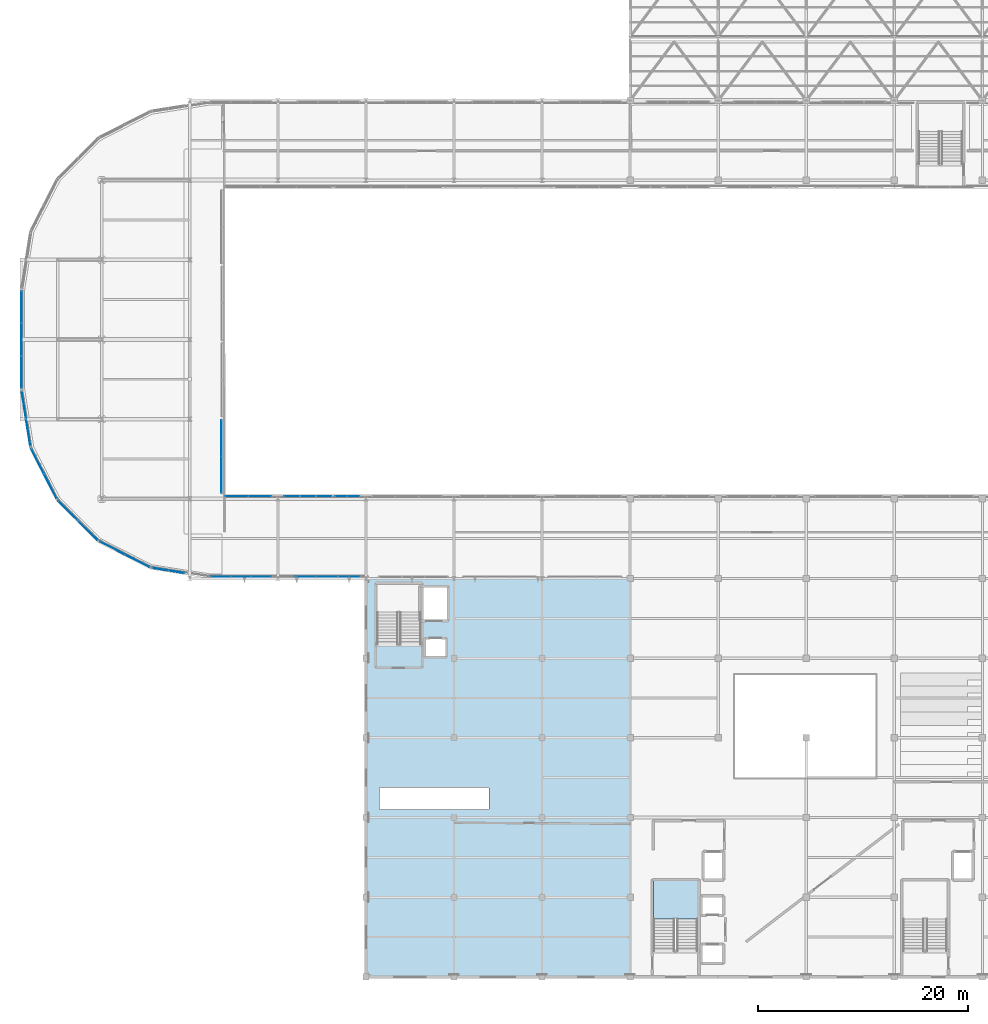
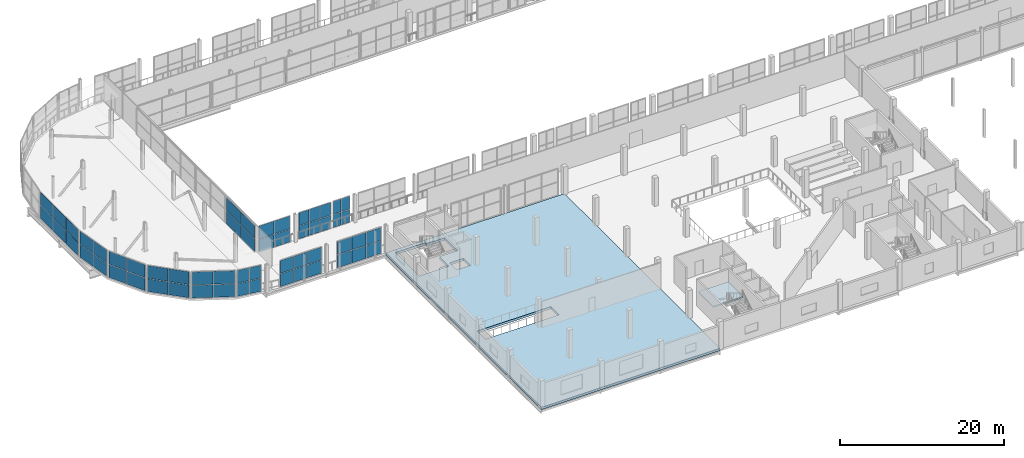
# One storey, part 164 of 217: 56 plates, 2 slabs, 13 elements without a shape of their own.
"""IFC4 building model written with IfcOpenShell, lengths in metres."""

from ifc_helpers import new_model, si_unit, direction, frame, origin, origin_2d, place, context, subcontext, project, spatial, polyline, rectangle, outline, extrude, material, layer, layer_set, type_object, element, aggregate, save


model = new_model("IFC4")

# Units and contexts
model_context = context("Model", 3, precision=1e-05, world=origin(), true_north=direction((0.0, 1.0)))
body_context = subcontext(model_context, "Body", "Model", "MODEL_VIEW")
ifc_project = project(units=[si_unit("LENGTHUNIT", "METRE"), si_unit("AREAUNIT", "SQUARE_METRE"), si_unit("VOLUMEUNIT", "CUBIC_METRE"), si_unit("PLANEANGLEUNIT", "RADIAN"), si_unit("MASSUNIT", "GRAM", prefix="KILO")], contexts=[model_context])

# Site, building, storey
site_placement = place(None, origin())
site = spatial("IfcSite", under=ifc_project, at=site_placement, CompositionType="ELEMENT")
building_placement = place(site_placement, origin())
building = spatial("IfcBuilding", under=site, at=building_placement, Name="Zuvorla Pavilion Media Centre", CompositionType="ELEMENT")
storey_placement = place(building_placement, frame((0.0, 0.0, 9.60009765625)))
storey = spatial("IfcBuildingStorey", under=building, at=storey_placement, Name="L02", CompositionType="ELEMENT", Elevation=9.60009765625)

# Curtain wall, plates
ifc_material_1 = material(Name="Unitised anodised aluminium and solar glass curtain wall", Category="aluminium")
curtain_wall_type_1 = type_object("IfcCurtainWallType", Name="CW-SYS-04", PredefinedType="USERDEFINED", material=ifc_material_1)
curtain_wall_1_placement = place(storey_placement, origin())
curtain_wall_1 = element("IfcCurtainWall", 1, at=curtain_wall_1_placement, inside=storey, type_object=curtain_wall_type_1, Name="L02 curtain wall CW04 33", ObjectType="CURTAIN WALL", PredefinedType="USERDEFINED")
ifc_material_2 = material(Name="Solar control double glazing", Category="glass")
ifc_layer_1 = layer(ifc_material_2, 0.028076171875)
ifc_layer_set_1 = layer_set([ifc_layer_1], Name="Solar control double glazing")
plate_type_1 = type_object("IfcPlateType", Name="CW-PNL-28", PredefinedType="CURTAIN_PANEL", material=ifc_layer_set_1)
plate_1_placement = place(storey_placement, frame((8.970947265625, 60.55224609375, 0.02978515625), z_axis=(0.0, 0.0, 1.0), x_axis=(0.156428534885, -0.987689279821, 0.0)))
plate_1 = element("IfcPlate", 2, at=plate_1_placement, type_object=plate_type_1, Name="CW04 panel 1.1", PredefinedType="CURTAIN_PANEL", context=body_context, shape_type="SweptSolid", body=[
    extrude(rectangle(XDim=2.595947265625, YDim=0.028076171875, at=origin_2d()), origin(), (0.0, 0.0, 1.0), 1.9150390625),
])
plate_2_placement = place(storey_placement, frame((8.970947265625, 60.55224609375, 2.0048828125), z_axis=(0.0, 0.0, 1.0), x_axis=(0.156428534885, -0.987689279821, 0.0)))
plate_2 = element("IfcPlate", 3, at=plate_2_placement, type_object=plate_type_1, Name="CW04 panel 1.2", PredefinedType="CURTAIN_PANEL", context=body_context, shape_type="SweptSolid", body=[
    extrude(rectangle(XDim=2.595947265625, YDim=0.028076171875, at=origin_2d()), origin(), (0.0, 0.0, 1.0), 1.9150390625),
])
plate_3_placement = place(storey_placement, frame((9.386474609375, 57.92919921875, 0.02978515625), z_axis=(0.0, 0.0, 1.0), x_axis=(0.156428534885, -0.987689279821, 0.0)))
plate_3 = element("IfcPlate", 4, at=plate_3_placement, type_object=plate_type_1, Name="CW04 panel 2.1", PredefinedType="CURTAIN_PANEL", context=body_context, shape_type="SweptSolid", body=[
    extrude(rectangle(XDim=2.595947265625, YDim=0.028076171875, at=origin_2d()), origin(), (0.0, 0.0, 1.0), 1.9150390625),
])
plate_4_placement = place(storey_placement, frame((9.386474609375, 57.92919921875, 2.0048828125), z_axis=(0.0, 0.0, 1.0), x_axis=(0.156428534885, -0.987689279821, 0.0)))
plate_4 = element("IfcPlate", 5, at=plate_4_placement, type_object=plate_type_1, Name="CW04 panel 2.2", PredefinedType="CURTAIN_PANEL", context=body_context, shape_type="SweptSolid", body=[
    extrude(rectangle(XDim=2.595947265625, YDim=0.028076171875, at=origin_2d()), origin(), (0.0, 0.0, 1.0), 1.9150390625),
])
aggregate(curtain_wall_1, [plate_1, plate_2, plate_3, plate_4])

curtain_wall_2_placement = place(storey_placement, origin())
curtain_wall_2 = element("IfcCurtainWall", 6, at=curtain_wall_2_placement, inside=storey, type_object=curtain_wall_type_1, Name="L02 curtain wall CW04 36", ObjectType="CURTAIN WALL", PredefinedType="USERDEFINED")
plate_5_placement = place(storey_placement, frame((17.4091796875, 46.886962890625, 0.02978515625), z_axis=(0.0, 0.0, 1.0), x_axis=(0.891008892216, -0.453985852193, 0.0)))
plate_5 = element("IfcPlate", 7, at=plate_5_placement, type_object=plate_type_1, Name="CW04 panel 1.1", PredefinedType="CURTAIN_PANEL", context=body_context, shape_type="SweptSolid", body=[
    extrude(rectangle(XDim=2.595703125, YDim=0.028076171875, at=origin_2d()), origin(), (0.0, 0.0, 1.0), 1.9150390625),
])
plate_6_placement = place(storey_placement, frame((17.4091796875, 46.886962890625, 2.0048828125), z_axis=(0.0, 0.0, 1.0), x_axis=(0.891008892216, -0.453985852193, 0.0)))
plate_6 = element("IfcPlate", 8, at=plate_6_placement, type_object=plate_type_1, Name="CW04 panel 1.2", PredefinedType="CURTAIN_PANEL", context=body_context, shape_type="SweptSolid", body=[
    extrude(rectangle(XDim=2.595703125, YDim=0.028076171875, at=origin_2d()), origin(), (0.0, 0.0, 1.0), 1.9150390625),
])
plate_7_placement = place(storey_placement, frame((19.775634765625, 45.68115234375, 0.02978515625), z_axis=(0.0, 0.0, 1.0), x_axis=(0.891008892216, -0.453985852193, 0.0)))
plate_7 = element("IfcPlate", 9, at=plate_7_placement, type_object=plate_type_1, Name="CW04 panel 2.1", PredefinedType="CURTAIN_PANEL", context=body_context, shape_type="SweptSolid", body=[
    extrude(rectangle(XDim=2.595703125, YDim=0.028076171875, at=origin_2d()), origin(), (0.0, 0.0, 1.0), 1.9150390625),
])
plate_8_placement = place(storey_placement, frame((19.775634765625, 45.68115234375, 2.0048828125), z_axis=(0.0, 0.0, 1.0), x_axis=(0.891008892216, -0.453985852193, 0.0)))
plate_8 = element("IfcPlate", 10, at=plate_8_placement, type_object=plate_type_1, Name="CW04 panel 2.2", PredefinedType="CURTAIN_PANEL", context=body_context, shape_type="SweptSolid", body=[
    extrude(rectangle(XDim=2.595703125, YDim=0.028076171875, at=origin_2d()), origin(), (0.0, 0.0, 1.0), 1.9150390625),
])
aggregate(curtain_wall_2, [plate_5, plate_6, plate_7, plate_8])

curtain_wall_type_2 = type_object("IfcCurtainWallType", Name="CW-SYS-07", PredefinedType="USERDEFINED", material=ifc_material_1)
curtain_wall_3_placement = place(storey_placement, origin())
curtain_wall_3 = element("IfcCurtainWall", 11, at=curtain_wall_3_placement, inside=storey, type_object=curtain_wall_type_2, Name="L02 curtain wall CW07 38", ObjectType="CURTAIN WALL", PredefinedType="USERDEFINED")
plate_9_placement = place(storey_placement, frame((27.7333984375, 44.159912109375, 0.02978515625), z_axis=(0.0, 0.0, 1.0), x_axis=(1.0, 0.0, 0.0)))
plate_9 = element("IfcPlate", 12, at=plate_9_placement, type_object=plate_type_1, Name="CW07 panel 1.1", PredefinedType="CURTAIN_PANEL", context=body_context, shape_type="SweptSolid", body=[
    extrude(rectangle(XDim=1.88671875, YDim=0.028076171875, at=origin_2d()), origin(), (0.0, 0.0, 1.0), 1.9150390625),
])
plate_10_placement = place(storey_placement, frame((27.7333984375, 44.159912109375, 2.0048828125), z_axis=(0.0, 0.0, 1.0), x_axis=(1.0, 0.0, 0.0)))
plate_10 = element("IfcPlate", 13, at=plate_10_placement, type_object=plate_type_1, Name="CW07 panel 1.2", PredefinedType="CURTAIN_PANEL", context=body_context, shape_type="SweptSolid", body=[
    extrude(rectangle(XDim=1.88671875, YDim=0.028076171875, at=origin_2d()), origin(), (0.0, 0.0, 1.0), 1.9150390625),
])
plate_11_placement = place(storey_placement, frame((29.679931640625, 44.159912109375, 0.02978515625), z_axis=(0.0, 0.0, 1.0), x_axis=(1.0, 0.0, 0.0)))
plate_11 = element("IfcPlate", 14, at=plate_11_placement, type_object=plate_type_1, Name="CW07 panel 2.1", PredefinedType="CURTAIN_PANEL", context=body_context, shape_type="SweptSolid", body=[
    extrude(rectangle(XDim=1.88671875, YDim=0.028076171875, at=origin_2d()), origin(), (0.0, 0.0, 1.0), 1.9150390625),
])
plate_12_placement = place(storey_placement, frame((29.679931640625, 44.159912109375, 2.0048828125), z_axis=(0.0, 0.0, 1.0), x_axis=(1.0, 0.0, 0.0)))
plate_12 = element("IfcPlate", 15, at=plate_12_placement, type_object=plate_type_1, Name="CW07 panel 2.2", PredefinedType="CURTAIN_PANEL", context=body_context, shape_type="SweptSolid", body=[
    extrude(rectangle(XDim=1.88671875, YDim=0.028076171875, at=origin_2d()), origin(), (0.0, 0.0, 1.0), 1.9150390625),
])
plate_13_placement = place(storey_placement, frame((31.62646484375, 44.159912109375, 0.02978515625), z_axis=(0.0, 0.0, 1.0), x_axis=(1.0, 0.0, 0.0)))
plate_13 = element("IfcPlate", 16, at=plate_13_placement, type_object=plate_type_1, Name="CW07 panel 3.1", PredefinedType="CURTAIN_PANEL", context=body_context, shape_type="SweptSolid", body=[
    extrude(rectangle(XDim=1.88671875, YDim=0.028076171875, at=origin_2d()), origin(), (0.0, 0.0, 1.0), 1.9150390625),
])
plate_14_placement = place(storey_placement, frame((31.62646484375, 44.159912109375, 2.0048828125), z_axis=(0.0, 0.0, 1.0), x_axis=(1.0, 0.0, 0.0)))
plate_14 = element("IfcPlate", 17, at=plate_14_placement, type_object=plate_type_1, Name="CW07 panel 3.2", PredefinedType="CURTAIN_PANEL", context=body_context, shape_type="SweptSolid", body=[
    extrude(rectangle(XDim=1.88671875, YDim=0.028076171875, at=origin_2d()), origin(), (0.0, 0.0, 1.0), 1.9150390625),
])
aggregate(curtain_wall_3, [plate_9, plate_10, plate_11, plate_12, plate_13, plate_14])

curtain_wall_type_3 = type_object("IfcCurtainWallType", Name="CW-SYS-28", PredefinedType="USERDEFINED", material=ifc_material_1)
curtain_wall_4_placement = place(storey_placement, origin())
curtain_wall_4 = element("IfcCurtainWall", 18, at=curtain_wall_4_placement, inside=storey, type_object=curtain_wall_type_3, Name="L02 curtain wall CW28 49", ObjectType="CURTAIN WALL", PredefinedType="USERDEFINED")
plate_15_placement = place(storey_placement, frame((29.27001953125, 51.840087890625, 0.02978515625), z_axis=(0.0, 0.0, 1.0), x_axis=(1.0, 0.0, 0.0)))
plate_15 = element("IfcPlate", 19, at=plate_15_placement, type_object=plate_type_1, Name="CW28 panel 1.1", PredefinedType="CURTAIN_PANEL", context=body_context, shape_type="SweptSolid", body=[
    extrude(rectangle(XDim=2.159912109375, YDim=0.028076171875, at=origin_2d()), origin(), (0.0, 0.0, 1.0), 1.9150390625),
])
plate_16_placement = place(storey_placement, frame((29.27001953125, 51.840087890625, 2.0048828125), z_axis=(0.0, 0.0, 1.0), x_axis=(1.0, 0.0, 0.0)))
plate_16 = element("IfcPlate", 20, at=plate_16_placement, type_object=plate_type_1, Name="CW28 panel 1.2", PredefinedType="CURTAIN_PANEL", context=body_context, shape_type="SweptSolid", body=[
    extrude(rectangle(XDim=2.159912109375, YDim=0.028076171875, at=origin_2d()), origin(), (0.0, 0.0, 1.0), 1.9150390625),
])
plate_17_placement = place(storey_placement, frame((31.48974609375, 51.840087890625, 0.02978515625), z_axis=(0.0, 0.0, 1.0), x_axis=(1.0, 0.0, 0.0)))
plate_17 = element("IfcPlate", 21, at=plate_17_placement, type_object=plate_type_1, Name="CW28 panel 2.1", PredefinedType="CURTAIN_PANEL", context=body_context, shape_type="SweptSolid", body=[
    extrude(rectangle(XDim=2.159912109375, YDim=0.028076171875, at=origin_2d()), origin(), (0.0, 0.0, 1.0), 1.9150390625),
])
plate_18_placement = place(storey_placement, frame((31.48974609375, 51.840087890625, 2.0048828125), z_axis=(0.0, 0.0, 1.0), x_axis=(1.0, 0.0, 0.0)))
plate_18 = element("IfcPlate", 22, at=plate_18_placement, type_object=plate_type_1, Name="CW28 panel 2.2", PredefinedType="CURTAIN_PANEL", context=body_context, shape_type="SweptSolid", body=[
    extrude(rectangle(XDim=2.159912109375, YDim=0.028076171875, at=origin_2d()), origin(), (0.0, 0.0, 1.0), 1.9150390625),
])
aggregate(curtain_wall_4, [plate_15, plate_16, plate_17, plate_18])

curtain_wall_type_4 = type_object("IfcCurtainWallType", Name="CW-SYS-29", PredefinedType="USERDEFINED", material=ifc_material_1)
curtain_wall_5_placement = place(storey_placement, origin())
curtain_wall_5 = element("IfcCurtainWall", 23, at=curtain_wall_5_placement, inside=storey, type_object=curtain_wall_type_4, Name="L02 curtain wall CW29 50", ObjectType="CURTAIN WALL", PredefinedType="USERDEFINED")
plate_19_placement = place(storey_placement, frame((34.556884765625, 51.840087890625, 0.02978515625), z_axis=(0.0, 0.0, 1.0), x_axis=(1.0, 0.0, 0.0)))
plate_19 = element("IfcPlate", 24, at=plate_19_placement, type_object=plate_type_1, Name="CW29 panel 1.1", PredefinedType="CURTAIN_PANEL", context=body_context, shape_type="SweptSolid", body=[
    extrude(rectangle(XDim=1.453369140625, YDim=0.028076171875, at=origin_2d()), origin(), (0.0, 0.0, 1.0), 1.9150390625),
])
plate_20_placement = place(storey_placement, frame((34.556884765625, 51.840087890625, 2.0048828125), z_axis=(0.0, 0.0, 1.0), x_axis=(1.0, 0.0, 0.0)))
plate_20 = element("IfcPlate", 25, at=plate_20_placement, type_object=plate_type_1, Name="CW29 panel 1.2", PredefinedType="CURTAIN_PANEL", context=body_context, shape_type="SweptSolid", body=[
    extrude(rectangle(XDim=1.453369140625, YDim=0.028076171875, at=origin_2d()), origin(), (0.0, 0.0, 1.0), 1.9150390625),
])
plate_21_placement = place(storey_placement, frame((36.070068359375, 51.840087890625, 0.02978515625), z_axis=(0.0, 0.0, 1.0), x_axis=(1.0, 0.0, 0.0)))
plate_21 = element("IfcPlate", 26, at=plate_21_placement, type_object=plate_type_1, Name="CW29 panel 2.1", PredefinedType="CURTAIN_PANEL", context=body_context, shape_type="SweptSolid", body=[
    extrude(rectangle(XDim=1.453369140625, YDim=0.028076171875, at=origin_2d()), origin(), (0.0, 0.0, 1.0), 1.9150390625),
])
plate_22_placement = place(storey_placement, frame((36.070068359375, 51.840087890625, 2.0048828125), z_axis=(0.0, 0.0, 1.0), x_axis=(1.0, 0.0, 0.0)))
plate_22 = element("IfcPlate", 27, at=plate_22_placement, type_object=plate_type_1, Name="CW29 panel 2.2", PredefinedType="CURTAIN_PANEL", context=body_context, shape_type="SweptSolid", body=[
    extrude(rectangle(XDim=1.453369140625, YDim=0.028076171875, at=origin_2d()), origin(), (0.0, 0.0, 1.0), 1.9150390625),
])
plate_23_placement = place(storey_placement, frame((37.583251953125, 51.840087890625, 0.02978515625), z_axis=(0.0, 0.0, 1.0), x_axis=(1.0, 0.0, 0.0)))
plate_23 = element("IfcPlate", 28, at=plate_23_placement, type_object=plate_type_1, Name="CW29 panel 3.1", PredefinedType="CURTAIN_PANEL", context=body_context, shape_type="SweptSolid", body=[
    extrude(rectangle(XDim=1.453369140625, YDim=0.028076171875, at=origin_2d()), origin(), (0.0, 0.0, 1.0), 1.9150390625),
])
plate_24_placement = place(storey_placement, frame((37.583251953125, 51.840087890625, 2.0048828125), z_axis=(0.0, 0.0, 1.0), x_axis=(1.0, 0.0, 0.0)))
plate_24 = element("IfcPlate", 29, at=plate_24_placement, type_object=plate_type_1, Name="CW29 panel 3.2", PredefinedType="CURTAIN_PANEL", context=body_context, shape_type="SweptSolid", body=[
    extrude(rectangle(XDim=1.453369140625, YDim=0.028076171875, at=origin_2d()), origin(), (0.0, 0.0, 1.0), 1.9150390625),
])
aggregate(curtain_wall_5, [plate_19, plate_20, plate_21, plate_22, plate_23, plate_24])

curtain_wall_type_5 = type_object("IfcCurtainWallType", Name="CW-SYS-02", PredefinedType="USERDEFINED", material=ifc_material_1)
curtain_wall_6_placement = place(storey_placement, origin())
curtain_wall_6 = element("IfcCurtainWall", 30, at=curtain_wall_6_placement, inside=storey, type_object=curtain_wall_type_5, Name="L02 curtain wall CW02 34", ObjectType="CURTAIN WALL", PredefinedType="USERDEFINED")
ifc_material_3 = material(Name="Acoustic laminated solar glazing", Category="glass")
ifc_layer_2 = layer(ifc_material_3, 0.033935546875)
ifc_layer_set_2 = layer_set([ifc_layer_2], Name="Acoustic laminated solar glazing")
plate_type_2 = type_object("IfcPlateType", Name="CW-PNL-34", PredefinedType="CURTAIN_PANEL", material=ifc_layer_set_2)
plate_25_placement = place(storey_placement, frame((10.28125, 55.175537109375, 0.02978515625), z_axis=(0.0, 0.0, 1.0), x_axis=(0.453985852193, -0.891008892216, 0.0)))
plate_25 = element("IfcPlate", 31, at=plate_25_placement, type_object=plate_type_2, Name="CW02 panel 1.1", PredefinedType="CURTAIN_PANEL", context=body_context, shape_type="SweptSolid", body=[
    extrude(rectangle(XDim=2.595703125, YDim=0.033935546875, at=origin_2d()), origin(), (0.0, 0.0, 1.0), 1.9150390625),
])
plate_26_placement = place(storey_placement, frame((10.28125, 55.175537109375, 2.0048828125), z_axis=(0.0, 0.0, 1.0), x_axis=(0.453985852193, -0.891008892216, 0.0)))
plate_26 = element("IfcPlate", 32, at=plate_26_placement, type_object=plate_type_2, Name="CW02 panel 1.2", PredefinedType="CURTAIN_PANEL", context=body_context, shape_type="SweptSolid", body=[
    extrude(rectangle(XDim=2.595703125, YDim=0.033935546875, at=origin_2d()), origin(), (0.0, 0.0, 1.0), 1.9150390625),
])
plate_27_placement = place(storey_placement, frame((11.487060546875, 52.80908203125, 0.02978515625), z_axis=(0.0, 0.0, 1.0), x_axis=(0.453985852193, -0.891008892216, 0.0)))
plate_27 = element("IfcPlate", 33, at=plate_27_placement, type_object=plate_type_2, Name="CW02 panel 2.1", PredefinedType="CURTAIN_PANEL", context=body_context, shape_type="SweptSolid", body=[
    extrude(rectangle(XDim=2.595703125, YDim=0.033935546875, at=origin_2d()), origin(), (0.0, 0.0, 1.0), 1.9150390625),
])
plate_28_placement = place(storey_placement, frame((11.487060546875, 52.80908203125, 2.0048828125), z_axis=(0.0, 0.0, 1.0), x_axis=(0.453985852193, -0.891008892216, 0.0)))
plate_28 = element("IfcPlate", 34, at=plate_28_placement, type_object=plate_type_2, Name="CW02 panel 2.2", PredefinedType="CURTAIN_PANEL", context=body_context, shape_type="SweptSolid", body=[
    extrude(rectangle(XDim=2.595703125, YDim=0.033935546875, at=origin_2d()), origin(), (0.0, 0.0, 1.0), 1.9150390625),
])
aggregate(curtain_wall_6, [plate_25, plate_26, plate_27, plate_28])

curtain_wall_type_6 = type_object("IfcCurtainWallType", Name="CW-SYS-06", PredefinedType="USERDEFINED", material=ifc_material_1)
curtain_wall_7_placement = place(storey_placement, origin())
curtain_wall_7 = element("IfcCurtainWall", 35, at=curtain_wall_7_placement, inside=storey, type_object=curtain_wall_type_6, Name="L02 curtain wall CW06 37", ObjectType="CURTAIN WALL", PredefinedType="USERDEFINED")
plate_29_placement = place(storey_placement, frame((21.9814453125, 44.873291015625, 0.02978515625), z_axis=(0.0, 0.0, 1.0), x_axis=(0.987690520963, -0.156420698118, 0.0)))
plate_29 = element("IfcPlate", 36, at=plate_29_placement, type_object=plate_type_2, Name="CW06 panel 1.1", PredefinedType="CURTAIN_PANEL", context=body_context, shape_type="SweptSolid", body=[
    extrude(rectangle(XDim=1.48681640625, YDim=0.033935546875, at=origin_2d()), origin(), (0.0, 0.0, 1.0), 1.9150390625),
])
plate_30_placement = place(storey_placement, frame((21.9814453125, 44.873291015625, 2.0048828125), z_axis=(0.0, 0.0, 1.0), x_axis=(0.987690520963, -0.156420698118, 0.0)))
plate_30 = element("IfcPlate", 37, at=plate_30_placement, type_object=plate_type_2, Name="CW06 panel 1.2", PredefinedType="CURTAIN_PANEL", context=body_context, shape_type="SweptSolid", body=[
    extrude(rectangle(XDim=1.48681640625, YDim=0.033935546875, at=origin_2d()), origin(), (0.0, 0.0, 1.0), 1.9150390625),
])
plate_31_placement = place(storey_placement, frame((23.50927734375, 44.63134765625, 0.02978515625), z_axis=(0.0, 0.0, 1.0), x_axis=(0.987690520963, -0.156420698118, 0.0)))
plate_31 = element("IfcPlate", 38, at=plate_31_placement, type_object=plate_type_2, Name="CW06 panel 2.1", PredefinedType="CURTAIN_PANEL", context=body_context, shape_type="SweptSolid", body=[
    extrude(rectangle(XDim=1.48681640625, YDim=0.033935546875, at=origin_2d()), origin(), (0.0, 0.0, 1.0), 1.9150390625),
])
plate_32_placement = place(storey_placement, frame((23.50927734375, 44.63134765625, 2.0048828125), z_axis=(0.0, 0.0, 1.0), x_axis=(0.987690520963, -0.156420698118, 0.0)))
plate_32 = element("IfcPlate", 39, at=plate_32_placement, type_object=plate_type_2, Name="CW06 panel 2.2", PredefinedType="CURTAIN_PANEL", context=body_context, shape_type="SweptSolid", body=[
    extrude(rectangle(XDim=1.48681640625, YDim=0.033935546875, at=origin_2d()), origin(), (0.0, 0.0, 1.0), 1.9150390625),
])
aggregate(curtain_wall_7, [plate_29, plate_30, plate_31, plate_32])

curtain_wall_type_7 = type_object("IfcCurtainWallType", Name="CW-SYS-20", PredefinedType="USERDEFINED", material=ifc_material_1)
curtain_wall_8_placement = place(storey_placement, origin())
curtain_wall_8 = element("IfcCurtainWall", 40, at=curtain_wall_8_placement, inside=storey, type_object=curtain_wall_type_7, Name="L02 curtain wall CW20 39", ObjectType="CURTAIN WALL", PredefinedType="USERDEFINED")
plate_33_placement = place(storey_placement, frame((35.833251953125, 44.159912109375, 0.02978515625), z_axis=(0.0, 0.0, 1.0), x_axis=(1.0, 0.0, 0.0)))
plate_33 = element("IfcPlate", 41, at=plate_33_placement, type_object=plate_type_2, Name="CW20 panel 1.1", PredefinedType="CURTAIN_PANEL", context=body_context, shape_type="SweptSolid", body=[
    extrude(rectangle(XDim=2.006591796875, YDim=0.033935546875, at=origin_2d()), origin(), (0.0, 0.0, 1.0), 1.9150390625),
])
plate_34_placement = place(storey_placement, frame((35.833251953125, 44.159912109375, 2.0048828125), z_axis=(0.0, 0.0, 1.0), x_axis=(1.0, 0.0, 0.0)))
plate_34 = element("IfcPlate", 42, at=plate_34_placement, type_object=plate_type_2, Name="CW20 panel 1.2", PredefinedType="CURTAIN_PANEL", context=body_context, shape_type="SweptSolid", body=[
    extrude(rectangle(XDim=2.006591796875, YDim=0.033935546875, at=origin_2d()), origin(), (0.0, 0.0, 1.0), 1.9150390625),
])
plate_35_placement = place(storey_placement, frame((37.89990234375, 44.159912109375, 0.02978515625), z_axis=(0.0, 0.0, 1.0), x_axis=(1.0, 0.0, 0.0)))
plate_35 = element("IfcPlate", 43, at=plate_35_placement, type_object=plate_type_2, Name="CW20 panel 2.1", PredefinedType="CURTAIN_PANEL", context=body_context, shape_type="SweptSolid", body=[
    extrude(rectangle(XDim=2.006591796875, YDim=0.033935546875, at=origin_2d()), origin(), (0.0, 0.0, 1.0), 1.9150390625),
])
plate_36_placement = place(storey_placement, frame((37.89990234375, 44.159912109375, 2.0048828125), z_axis=(0.0, 0.0, 1.0), x_axis=(1.0, 0.0, 0.0)))
plate_36 = element("IfcPlate", 44, at=plate_36_placement, type_object=plate_type_2, Name="CW20 panel 2.2", PredefinedType="CURTAIN_PANEL", context=body_context, shape_type="SweptSolid", body=[
    extrude(rectangle(XDim=2.006591796875, YDim=0.033935546875, at=origin_2d()), origin(), (0.0, 0.0, 1.0), 1.9150390625),
])
plate_37_placement = place(storey_placement, frame((39.966552734375, 44.159912109375, 0.02978515625), z_axis=(0.0, 0.0, 1.0), x_axis=(1.0, 0.0, 0.0)))
plate_37 = element("IfcPlate", 45, at=plate_37_placement, type_object=plate_type_2, Name="CW20 panel 3.1", PredefinedType="CURTAIN_PANEL", context=body_context, shape_type="SweptSolid", body=[
    extrude(rectangle(XDim=2.006591796875, YDim=0.033935546875, at=origin_2d()), origin(), (0.0, 0.0, 1.0), 1.9150390625),
])
plate_38_placement = place(storey_placement, frame((39.966552734375, 44.159912109375, 2.0048828125), z_axis=(0.0, 0.0, 1.0), x_axis=(1.0, 0.0, 0.0)))
plate_38 = element("IfcPlate", 46, at=plate_38_placement, type_object=plate_type_2, Name="CW20 panel 3.2", PredefinedType="CURTAIN_PANEL", context=body_context, shape_type="SweptSolid", body=[
    extrude(rectangle(XDim=2.006591796875, YDim=0.033935546875, at=origin_2d()), origin(), (0.0, 0.0, 1.0), 1.9150390625),
])
aggregate(curtain_wall_8, [plate_33, plate_34, plate_35, plate_36, plate_37, plate_38])

curtain_wall_type_8 = type_object("IfcCurtainWallType", Name="CW-SYS-31", PredefinedType="USERDEFINED", material=ifc_material_1)
curtain_wall_9_placement = place(storey_placement, origin())
curtain_wall_9 = element("IfcCurtainWall", 47, at=curtain_wall_9_placement, inside=storey, type_object=curtain_wall_type_8, Name="L02 curtain wall CW31 52", ObjectType="CURTAIN WALL", PredefinedType="USERDEFINED")
plate_39_placement = place(storey_placement, frame((39.244873046875, 51.840087890625, 0.02978515625), z_axis=(0.0, 0.0, 1.0), x_axis=(1.0, 0.0, 0.0)))
plate_39 = element("IfcPlate", 48, at=plate_39_placement, type_object=plate_type_2, Name="CW31 panel 1.1", PredefinedType="CURTAIN_PANEL", context=body_context, shape_type="SweptSolid", body=[
    extrude(rectangle(XDim=1.10986328125, YDim=0.033935546875, at=origin_2d()), origin(), (0.0, 0.0, 1.0), 1.9150390625),
])
plate_40_placement = place(storey_placement, frame((39.244873046875, 51.840087890625, 2.0048828125), z_axis=(0.0, 0.0, 1.0), x_axis=(1.0, 0.0, 0.0)))
plate_40 = element("IfcPlate", 49, at=plate_40_placement, type_object=plate_type_2, Name="CW31 panel 1.2", PredefinedType="CURTAIN_PANEL", context=body_context, shape_type="SweptSolid", body=[
    extrude(rectangle(XDim=1.10986328125, YDim=0.033935546875, at=origin_2d()), origin(), (0.0, 0.0, 1.0), 1.9150390625),
])
plate_41_placement = place(storey_placement, frame((40.414794921875, 51.840087890625, 0.02978515625), z_axis=(0.0, 0.0, 1.0), x_axis=(1.0, 0.0, 0.0)))
plate_41 = element("IfcPlate", 50, at=plate_41_placement, type_object=plate_type_2, Name="CW31 panel 2.1", PredefinedType="CURTAIN_PANEL", context=body_context, shape_type="SweptSolid", body=[
    extrude(rectangle(XDim=1.10986328125, YDim=0.033935546875, at=origin_2d()), origin(), (0.0, 0.0, 1.0), 1.9150390625),
])
plate_42_placement = place(storey_placement, frame((40.414794921875, 51.840087890625, 2.0048828125), z_axis=(0.0, 0.0, 1.0), x_axis=(1.0, 0.0, 0.0)))
plate_42 = element("IfcPlate", 51, at=plate_42_placement, type_object=plate_type_2, Name="CW31 panel 2.2", PredefinedType="CURTAIN_PANEL", context=body_context, shape_type="SweptSolid", body=[
    extrude(rectangle(XDim=1.10986328125, YDim=0.033935546875, at=origin_2d()), origin(), (0.0, 0.0, 1.0), 1.9150390625),
])
aggregate(curtain_wall_9, [plate_39, plate_40, plate_41, plate_42])

curtain_wall_type_9 = type_object("IfcCurtainWallType", Name="CW-SYS-05", PredefinedType="USERDEFINED", material=ifc_material_1)
curtain_wall_10_placement = place(storey_placement, origin())
curtain_wall_10 = element("IfcCurtainWall", 52, at=curtain_wall_10_placement, inside=storey, type_object=curtain_wall_type_9, Name="L02 curtain wall CW05 32", ObjectType="CURTAIN WALL", PredefinedType="USERDEFINED")
ifc_material_4 = material(Name="Triple acoustic broadcast glazing", Category="glass")
ifc_layer_3 = layer(ifc_material_4, 0.0419921875)
ifc_layer_set_3 = layer_set([ifc_layer_3], Name="Triple acoustic broadcast glazing")
plate_type_3 = type_object("IfcPlateType", Name="CW-PNL-42", PredefinedType="CURTAIN_PANEL", material=ifc_layer_set_3)
plate_43_placement = place(storey_placement, frame((8.739990234375, 69.893310546875, 0.02978515625), z_axis=(0.0, 0.0, 1.0), x_axis=(0.0, -1.0, 0.0)))
plate_43 = element("IfcPlate", 53, at=plate_43_placement, type_object=plate_type_3, Name="CW05 panel 1.1", PredefinedType="CURTAIN_PANEL", context=body_context, shape_type="SweptSolid", body=[
    extrude(rectangle(XDim=3.033447265625, YDim=0.0419921875, at=origin_2d()), origin(), (0.0, 0.0, 1.0), 1.9150390625),
])
plate_44_placement = place(storey_placement, frame((8.739990234375, 69.893310546875, 2.0048828125), z_axis=(0.0, 0.0, 1.0), x_axis=(0.0, -1.0, 0.0)))
plate_44 = element("IfcPlate", 54, at=plate_44_placement, type_object=plate_type_3, Name="CW05 panel 1.2", PredefinedType="CURTAIN_PANEL", context=body_context, shape_type="SweptSolid", body=[
    extrude(rectangle(XDim=3.033447265625, YDim=0.0419921875, at=origin_2d()), origin(), (0.0, 0.0, 1.0), 1.9150390625),
])
plate_45_placement = place(storey_placement, frame((8.739990234375, 66.800048828125, 0.02978515625), z_axis=(0.0, 0.0, 1.0), x_axis=(0.0, -1.0, 0.0)))
plate_45 = element("IfcPlate", 55, at=plate_45_placement, type_object=plate_type_3, Name="CW05 panel 2.1", PredefinedType="CURTAIN_PANEL", context=body_context, shape_type="SweptSolid", body=[
    extrude(rectangle(XDim=3.033447265625, YDim=0.0419921875, at=origin_2d()), origin(), (0.0, 0.0, 1.0), 1.9150390625),
])
plate_46_placement = place(storey_placement, frame((8.739990234375, 66.800048828125, 2.0048828125), z_axis=(0.0, 0.0, 1.0), x_axis=(0.0, -1.0, 0.0)))
plate_46 = element("IfcPlate", 56, at=plate_46_placement, type_object=plate_type_3, Name="CW05 panel 2.2", PredefinedType="CURTAIN_PANEL", context=body_context, shape_type="SweptSolid", body=[
    extrude(rectangle(XDim=3.033447265625, YDim=0.0419921875, at=origin_2d()), origin(), (0.0, 0.0, 1.0), 1.9150390625),
])
plate_47_placement = place(storey_placement, frame((8.739990234375, 63.706787109375, 0.02978515625), z_axis=(0.0, 0.0, 1.0), x_axis=(0.0, -1.0, 0.0)))
plate_47 = element("IfcPlate", 57, at=plate_47_placement, type_object=plate_type_3, Name="CW05 panel 3.1", PredefinedType="CURTAIN_PANEL", context=body_context, shape_type="SweptSolid", body=[
    extrude(rectangle(XDim=3.033447265625, YDim=0.0419921875, at=origin_2d()), origin(), (0.0, 0.0, 1.0), 1.9150390625),
])
plate_48_placement = place(storey_placement, frame((8.739990234375, 63.706787109375, 2.0048828125), z_axis=(0.0, 0.0, 1.0), x_axis=(0.0, -1.0, 0.0)))
plate_48 = element("IfcPlate", 58, at=plate_48_placement, type_object=plate_type_3, Name="CW05 panel 3.2", PredefinedType="CURTAIN_PANEL", context=body_context, shape_type="SweptSolid", body=[
    extrude(rectangle(XDim=3.033447265625, YDim=0.0419921875, at=origin_2d()), origin(), (0.0, 0.0, 1.0), 1.9150390625),
])
aggregate(curtain_wall_10, [plate_43, plate_44, plate_45, plate_46, plate_47, plate_48])

curtain_wall_type_10 = type_object("IfcCurtainWallType", Name="CW-SYS-03", PredefinedType="USERDEFINED", material=ifc_material_1)
curtain_wall_11_placement = place(storey_placement, origin())
curtain_wall_11 = element("IfcCurtainWall", 59, at=curtain_wall_11_placement, inside=storey, type_object=curtain_wall_type_10, Name="L02 curtain wall CW03 35", ObjectType="CURTAIN WALL", PredefinedType="USERDEFINED")
plate_49_placement = place(storey_placement, frame((13.188720703125, 50.466796875, 0.02978515625), z_axis=(0.0, 0.0, 1.0), x_axis=(0.707106781187, -0.707106781187, 0.0)))
plate_49 = element("IfcPlate", 60, at=plate_49_placement, type_object=plate_type_3, Name="CW03 panel 1.1", PredefinedType="CURTAIN_PANEL", context=body_context, shape_type="SweptSolid", body=[
    extrude(rectangle(XDim=2.595947265625, YDim=0.0419921875, at=origin_2d()), origin(), (0.0, 0.0, 1.0), 1.9150390625),
])
plate_50_placement = place(storey_placement, frame((13.188720703125, 50.466796875, 2.0048828125), z_axis=(0.0, 0.0, 1.0), x_axis=(0.707106781187, -0.707106781187, 0.0)))
plate_50 = element("IfcPlate", 61, at=plate_50_placement, type_object=plate_type_3, Name="CW03 panel 1.2", PredefinedType="CURTAIN_PANEL", context=body_context, shape_type="SweptSolid", body=[
    extrude(rectangle(XDim=2.595947265625, YDim=0.0419921875, at=origin_2d()), origin(), (0.0, 0.0, 1.0), 1.9150390625),
])
plate_51_placement = place(storey_placement, frame((15.06689453125, 48.5888671875, 0.02978515625), z_axis=(0.0, 0.0, 1.0), x_axis=(0.707106781187, -0.707106781187, 0.0)))
plate_51 = element("IfcPlate", 62, at=plate_51_placement, type_object=plate_type_3, Name="CW03 panel 2.1", PredefinedType="CURTAIN_PANEL", context=body_context, shape_type="SweptSolid", body=[
    extrude(rectangle(XDim=2.595947265625, YDim=0.0419921875, at=origin_2d()), origin(), (0.0, 0.0, 1.0), 1.9150390625),
])
plate_52_placement = place(storey_placement, frame((15.06689453125, 48.5888671875, 2.0048828125), z_axis=(0.0, 0.0, 1.0), x_axis=(0.707106781187, -0.707106781187, 0.0)))
plate_52 = element("IfcPlate", 63, at=plate_52_placement, type_object=plate_type_3, Name="CW03 panel 2.2", PredefinedType="CURTAIN_PANEL", context=body_context, shape_type="SweptSolid", body=[
    extrude(rectangle(XDim=2.595947265625, YDim=0.0419921875, at=origin_2d()), origin(), (0.0, 0.0, 1.0), 1.9150390625),
])
aggregate(curtain_wall_11, [plate_49, plate_50, plate_51, plate_52])

curtain_wall_type_11 = type_object("IfcCurtainWallType", Name="CW-SYS-57", PredefinedType="USERDEFINED", material=ifc_material_1)
curtain_wall_12_placement = place(storey_placement, origin())
curtain_wall_12 = element("IfcCurtainWall", 64, at=curtain_wall_12_placement, inside=storey, type_object=curtain_wall_type_11, Name="L02 curtain wall CW57 87", ObjectType="CURTAIN WALL", PredefinedType="USERDEFINED")
plate_53_placement = place(storey_placement, frame((27.840087890625, 57.39501953125, 0.02978515625), z_axis=(0.0, 0.0, 1.0), x_axis=(0.0, -1.0, 0.0)))
plate_53 = element("IfcPlate", 65, at=plate_53_placement, type_object=plate_type_3, Name="CW57 panel 1.1", PredefinedType="CURTAIN_PANEL", context=body_context, shape_type="SweptSolid", body=[
    extrude(rectangle(XDim=3.429931640625, YDim=0.0419921875, at=origin_2d()), origin(), (0.0, 0.0, 1.0), 1.9150390625),
])
plate_54_placement = place(storey_placement, frame((27.840087890625, 57.39501953125, 2.0048828125), z_axis=(0.0, 0.0, 1.0), x_axis=(0.0, -1.0, 0.0)))
plate_54 = element("IfcPlate", 66, at=plate_54_placement, type_object=plate_type_3, Name="CW57 panel 1.2", PredefinedType="CURTAIN_PANEL", context=body_context, shape_type="SweptSolid", body=[
    extrude(rectangle(XDim=3.429931640625, YDim=0.0419921875, at=origin_2d()), origin(), (0.0, 0.0, 1.0), 1.9150390625),
])
plate_55_placement = place(storey_placement, frame((27.840087890625, 53.905029296875, 0.02978515625), z_axis=(0.0, 0.0, 1.0), x_axis=(0.0, -1.0, 0.0)))
plate_55 = element("IfcPlate", 67, at=plate_55_placement, type_object=plate_type_3, Name="CW57 panel 2.1", PredefinedType="CURTAIN_PANEL", context=body_context, shape_type="SweptSolid", body=[
    extrude(rectangle(XDim=3.429931640625, YDim=0.0419921875, at=origin_2d()), origin(), (0.0, 0.0, 1.0), 1.9150390625),
])
plate_56_placement = place(storey_placement, frame((27.840087890625, 53.905029296875, 2.0048828125), z_axis=(0.0, 0.0, 1.0), x_axis=(0.0, -1.0, 0.0)))
plate_56 = element("IfcPlate", 68, at=plate_56_placement, type_object=plate_type_3, Name="CW57 panel 2.2", PredefinedType="CURTAIN_PANEL", context=body_context, shape_type="SweptSolid", body=[
    extrude(rectangle(XDim=3.429931640625, YDim=0.0419921875, at=origin_2d()), origin(), (0.0, 0.0, 1.0), 1.9150390625),
])
aggregate(curtain_wall_12, [plate_53, plate_54, plate_55, plate_56])

# Slab
ifc_material_5 = material(Name="Concrete C40/50", Category="concrete")
ifc_layer_4 = layer(ifc_material_5, 0.35009765625)
ifc_layer_set_4 = layer_set([ifc_layer_4], Name="Concrete C40/50")
slab_type_1 = type_object("IfcSlabType", Name="SLB-FLR-350", PredefinedType="FLOOR", material=ifc_layer_set_4)
slab_1_placement = place(storey_placement, frame((0.0, 0.0, -0.35009765625)))
element("IfcSlab", 69, at=slab_1_placement, inside=storey, type_object=slab_type_1, Name="L02 floor slab SW", PredefinedType="FLOOR", context=body_context, shape_type="SweptSolid", body=[
    extrude(outline(polyline([(41.60009765625, 6.0), (41.60009765625, 44.0), (66.800048828125, 44.0), (66.800048828125, 6.0), (41.60009765625, 6.0)]), holes=[polyline([(42.949951171875, 22.0), (53.320068359375, 22.0), (53.320068359375, 24.0), (42.949951171875, 24.0), (42.949951171875, 22.0)]), polyline([(47.27001953125, 36.570068359375), (49.22998046875, 36.570068359375), (49.22998046875, 38.22998046875), (47.27001953125, 38.22998046875), (47.27001953125, 36.570068359375)]), polyline([(46.85009765625, 37.699951171875), (46.85009765625, 40.02001953125), (49.3798828125, 40.02001953125), (49.3798828125, 43.179931640625), (46.85009765625, 43.179931640625), (46.85009765625, 43.449951171875), (42.64990234375, 43.449951171875), (42.64990234375, 37.699951171875), (46.85009765625, 37.699951171875)])]), origin(), (0.0, 0.0, 1.0), 0.35009765625),
])

# Stair, slab
stair_type = type_object("IfcStairType", Name="STR-DOG-420", PredefinedType="TWO_STRAIGHT_RUN_STAIR", material=ifc_material_5)
stair_placement = place(storey_placement, origin())
stair = element("IfcStair", 70, at=stair_placement, inside=storey, type_object=stair_type, Name="L02 exit stair ST-01", PredefinedType="TWO_STRAIGHT_RUN_STAIR")
ifc_layer_5 = layer(ifc_material_5, 0.199951171875)
ifc_layer_set_5 = layer_set([ifc_layer_5], Name="Concrete C40/50")
slab_type_2 = type_object("IfcSlabType", Name="SLB-LND-200", PredefinedType="LANDING", material=ifc_layer_set_5)
slab_2_placement = place(storey_placement, frame((0.0, 0.0, 1.89990234375)))
slab_2 = element("IfcSlab", 71, at=slab_2_placement, type_object=slab_type_2, Name="ST-01 landing 1", PredefinedType="LANDING", context=body_context, shape_type="SweptSolid", body=[
    extrude(outline(polyline([(69.030029296875, 11.510009765625), (73.27001953125, 11.510009765625), (73.27001953125, 15.169921875), (69.030029296875, 15.169921875), (69.030029296875, 11.510009765625)])), origin(), (0.0, 0.0, 1.0), 0.199951171875),
])
aggregate(stair, [slab_2])

save(model, "model.ifc")
